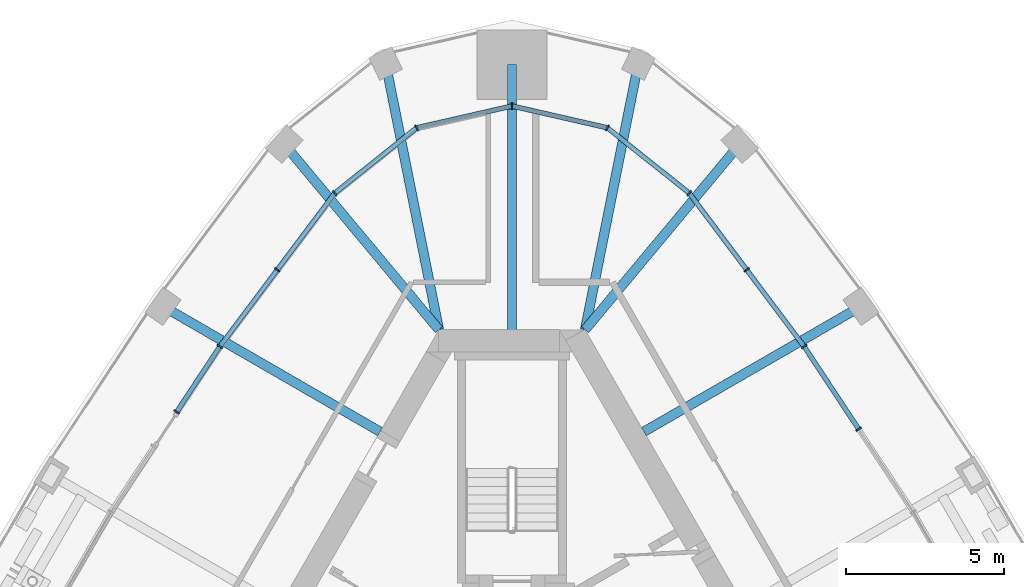
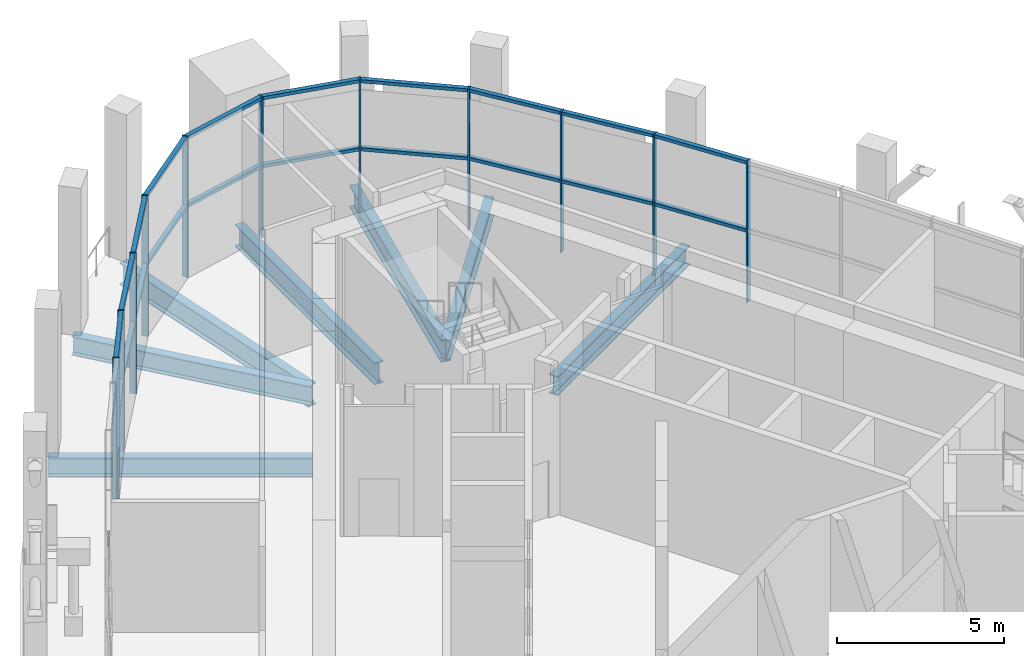
# One storey, part 6 of 23: 31 members, 7 beams, 3 elements without a shape of their own.
"""IFC4 building model written with IfcOpenShell, lengths in metres."""

import ifcopenshell
import ifcopenshell.guid

model = None  # the IFC model being written
_history = None  # IfcOwnerHistory: only IFC2X3 demands one
_inside = {}  # id of a spatial element -> (the spatial element, [elements in it])
_under = {}  # id of a project, library or spatial element -> (it, [spatial elements below it])
_declared = {}  # id of a project -> (the project, [libraries it declares])
_typed = {}  # id of a type object -> (the type object, [elements of that type])
_made_of = {}  # id of a material, layer set ... -> (it, [elements and type objects made of it])


def new_model(schema):
    """Start an empty IFC model of exactly this schema.

    Asked for "IFC4X3", IfcOpenShell would pick the latest addendum, in which some entities
    have other attributes; the version numbers below select the first issue.
    IFC2X3 requires an IfcOwnerHistory on every rooted entity: one is made here for all.
    """
    global model, _history
    if schema == "IFC4X3":
        model = ifcopenshell.file(schema_version=(4, 3, 0, 0))
    else:
        model = ifcopenshell.file(schema=schema)
    _inside.clear()
    _under.clear()
    _declared.clear()
    _typed.clear()
    _made_of.clear()
    _history = None
    if model.schema == "IFC2X3":
        org = make("IfcOrganization", Name="unknown")
        user = make(
            "IfcPersonAndOrganization",
            ThePerson=make("IfcPerson", FamilyName="unknown"),
            TheOrganization=org,
        )
        app = make(
            "IfcApplication",
            ApplicationDeveloper=org,
            Version="unknown",
            ApplicationFullName="unknown",
            ApplicationIdentifier="unknown",
        )
        _history = make(
            "IfcOwnerHistory",
            OwningUser=user,
            OwningApplication=app,
            ChangeAction="ADDED",
            CreationDate=0,
        )
    return model


def make(cls, **values):
    """One entity of the class cls with the attributes given. An attribute that is None is left unset."""
    return model.create_entity(
        cls, **{name: value for name, value in values.items() if value is not None}
    )


def rooted(cls, **values):
    """An entity with a GlobalId (a new one), such as an element, a storey or a relation."""
    return make(cls, GlobalId=ifcopenshell.guid.new(), OwnerHistory=_history, **values)


def si_unit(unit_type, name, prefix=None):
    """IfcSIUnit, for example si_unit("LENGTHUNIT", "METRE", prefix="MILLI")."""
    return make("IfcSIUnit", UnitType=unit_type, Prefix=prefix, Name=name)


def assignment(units):
    """IfcUnitAssignment: the units of a project."""
    return None if units is None else make("IfcUnitAssignment", Units=units)


def point(xyz):
    """IfcCartesianPoint."""
    return None if xyz is None else make("IfcCartesianPoint", Coordinates=xyz)


def direction(xyz):
    """IfcDirection."""
    return None if xyz is None else make("IfcDirection", DirectionRatios=xyz)


def frame(location, z_axis=None, x_axis=None):
    """IfcAxis2Placement3D, a coordinate frame: its origin and axes. An axis left out is left unset."""
    return make(
        "IfcAxis2Placement3D",
        Location=point(location),
        Axis=direction(z_axis),
        RefDirection=direction(x_axis),
    )


def frame_2d(location, x_axis=None):
    """IfcAxis2Placement2D, a coordinate frame in the plane: its origin and x axis."""
    return make(
        "IfcAxis2Placement2D", Location=point(location), RefDirection=direction(x_axis)
    )


def origin():
    """The frame at (0, 0, 0) with its axes left unset."""
    return frame((0.0, 0.0, 0.0))


def origin_2d():
    """The frame at (0, 0) in the plane with its x axis left unset."""
    return frame_2d((0.0, 0.0))


def place(relative_to, where):
    """IfcLocalPlacement: puts the frame where relative to a parent placement (None: the world)."""
    return make(
        "IfcLocalPlacement", PlacementRelTo=relative_to, RelativePlacement=where
    )


def context(
    kind, dimensions, precision=None, world=None, true_north=None, identifier=None
):
    """IfcGeometricRepresentationContext, for example the 3D "Model" context."""
    return make(
        "IfcGeometricRepresentationContext",
        ContextIdentifier=identifier,
        ContextType=kind,
        CoordinateSpaceDimension=dimensions,
        Precision=precision,
        WorldCoordinateSystem=world,
        TrueNorth=true_north,
    )


def subcontext(parent, identifier, kind, view, scale=None):
    """IfcGeometricRepresentationSubContext, for example "Body" below "Model"."""
    return make(
        "IfcGeometricRepresentationSubContext",
        ContextIdentifier=identifier,
        ContextType=kind,
        ParentContext=parent,
        TargetScale=scale,
        TargetView=view,
    )


def project(units=None, contexts=None):
    """IfcProject with its units and contexts."""
    return rooted(
        "IfcProject",
        Name="project",
        RepresentationContexts=contexts,
        UnitsInContext=assignment(units),
    )


def spatial(cls, under=None, at=None, **own):
    """A site, building, storey or space (cls), placed at a placement, below another one or the project."""
    s = rooted(cls, ObjectPlacement=at, **own)
    if under is not None:
        _under.setdefault(under.id(), (under, []))[1].append(s)
    return s


def profile(cls, at=None, kind="AREA", **sizes):
    """A parametric profile (cls). Its sizes go by their IFC names, for example OverallWidth=200.0."""
    return make(cls, ProfileType=kind, Position=at, **sizes)


def rectangle(**sizes):
    """IfcRectangleProfileDef."""
    return profile("IfcRectangleProfileDef", **sizes)


def i_section(**sizes):
    """IfcIShapeProfileDef."""
    return profile("IfcIShapeProfileDef", **sizes)


def extrude(swept, where, along, depth):
    """IfcExtrudedAreaSolid: the profile swept, set in the frame where, extruded along a direction by depth."""
    return make(
        "IfcExtrudedAreaSolid",
        SweptArea=swept,
        Position=where,
        ExtrudedDirection=direction(along),
        Depth=depth,
    )


def shape(context_of_items, identifier, shape_type, items):
    """IfcShapeRepresentation: the items that make up one representation, for example the "Body"."""
    return make(
        "IfcShapeRepresentation",
        ContextOfItems=context_of_items,
        RepresentationIdentifier=identifier,
        RepresentationType=shape_type,
        Items=items,
    )


def material(Name=None, Category=None):
    """IfcMaterial."""
    return make("IfcMaterial", Name=Name, Category=Category)


def material_profile(
    of_material, cross_section, Name=None, Category=None, Priority=None
):
    """IfcMaterialProfile: a cross section and its material."""
    return make(
        "IfcMaterialProfile",
        Name=Name,
        Material=of_material,
        Profile=cross_section,
        Priority=Priority,
        Category=Category,
    )


def profile_set(profiles, Name=None, composite=None):
    """IfcMaterialProfileSet."""
    return make(
        "IfcMaterialProfileSet",
        Name=Name,
        MaterialProfiles=profiles,
        CompositeProfile=composite,
    )


def made_of(thing, what):
    """Note that an element or type object is made of a material, layer set ...; save() writes the relation."""
    if what is not None:
        _made_of.setdefault(what.id(), (what, []))[1].append(thing)
    return thing


def type_object(cls, material=None, **own):
    """A type object (cls), such as IfcWallType, which elements share."""
    return made_of(rooted(cls, **own), material)


def element(
    cls,
    number,
    at=None,
    inside=None,
    cuts=None,
    type_object=None,
    material=None,
    context=None,
    identifier="Body",
    shape_type=None,
    held_by="IfcProductDefinitionShape",
    body=None,
    shapes=None,
    **own,
):
    """One element of the class cls, such as IfcWall. Its Tag is "e" and its number.

    at: its placement. inside: the storey or other place that contains it. cuts: it is an
    opening in that element (IfcRelVoidsElement). A single representation is given by context,
    identifier, shape_type and body (its items); several are given by shapes. held_by: the class
    of the entity that holds the representations. save() writes the other relations.
    """
    e = rooted(cls, Tag="e%d" % number, ObjectPlacement=at, **own)
    if body is not None:
        shapes = [shape(context, identifier, shape_type, body)]
    if shapes is not None:
        e.Representation = make(held_by, Representations=shapes)
    if inside is not None:
        _inside.setdefault(inside.id(), (inside, []))[1].append(e)
    if cuts is not None:
        rooted(
            "IfcRelVoidsElement", RelatingBuildingElement=cuts, RelatedOpeningElement=e
        )
    if type_object is not None:
        _typed.setdefault(type_object.id(), (type_object, []))[1].append(e)
    return made_of(e, material)


def aggregate(whole, parts):
    """IfcRelAggregates: a whole, such as a stair, and the parts it consists of."""
    return rooted("IfcRelAggregates", RelatingObject=whole, RelatedObjects=parts)


def save(model, path):
    """Write the relations noted so far, then the file.

    IfcRelAggregates (storeys below a building ...), IfcRelContainedInSpatialStructure (elements
    in a storey), IfcRelDefinesByType, IfcRelAssociatesMaterial and IfcRelDeclares: one each for
    every whole, place, type object, material and project.
    """
    for whole, parts in _under.values():
        aggregate(whole, parts)
    for where, things in _inside.values():
        rooted(
            "IfcRelContainedInSpatialStructure",
            RelatedElements=things,
            RelatingStructure=where,
        )
    for kind, things in _typed.values():
        rooted("IfcRelDefinesByType", RelatedObjects=things, RelatingType=kind)
    for what, things in _made_of.values():
        rooted("IfcRelAssociatesMaterial", RelatedObjects=things, RelatingMaterial=what)
    for by, libraries in _declared.values():
        rooted("IfcRelDeclares", RelatingContext=by, RelatedDefinitions=libraries)
    model.write(path)


model = new_model("IFC4")

# Units and contexts
model_context = context("Model", 3, precision=1e-05, world=origin(), true_north=direction((0.0, 1.0)))
body_context = subcontext(model_context, "Body", "Model", "MODEL_VIEW")
ifc_project = project(units=[si_unit("LENGTHUNIT", "METRE"), si_unit("AREAUNIT", "SQUARE_METRE"), si_unit("VOLUMEUNIT", "CUBIC_METRE"), si_unit("PLANEANGLEUNIT", "RADIAN"), si_unit("MASSUNIT", "GRAM", prefix="KILO")], contexts=[model_context])

# Site, building, storey
site_placement = place(None, origin())
site = spatial("IfcSite", under=ifc_project, at=site_placement, CompositionType="ELEMENT")
building_placement = place(site_placement, origin())
building = spatial("IfcBuilding", under=site, at=building_placement, Name="Mestral Congress Tower", CompositionType="ELEMENT")
storey_placement = place(building_placement, frame((0.0, 0.0, 261.60009765625)))
storey = spatial("IfcBuildingStorey", under=building, at=storey_placement, Name="L61", CompositionType="ELEMENT", Elevation=261.60009765625)

# Curtain wall, members
ifc_material_1 = material(Name="Clear low-emissivity double glazing", Category="glass")
curtain_wall_type = type_object("IfcCurtainWallType", Name="Facade control room curtain wall", PredefinedType="USERDEFINED", material=ifc_material_1)
placement = place(storey_placement, origin())
curtain_wall_1 = element("IfcCurtainWall", 1, at=placement, inside=storey, type_object=curtain_wall_type, Name="Facade control room curtain wall face 2", ObjectType="CURTAIN WALL", PredefinedType="USERDEFINED")
ifc_material_2 = material(Name="Anodised aluminium", Category="aluminium")
ifc_material_profile_1 = material_profile(ifc_material_2, rectangle(XDim=0.199951171875, YDim=0.050048828125, at=origin_2d()), Name="CW5 mullion 200 x 50")
ifc_profile_set_1 = profile_set([ifc_material_profile_1], Name="Anodised aluminium")
member_type_1 = type_object("IfcMemberType", Name="Facade control room curtain wall mullion", PredefinedType="MULLION", material=ifc_profile_set_1)
member_1_placement = place(storey_placement, frame((10.957763671875, 13.557373046875, 0.0), z_axis=(0.0, 0.0, 1.0), x_axis=(0.834670077272, 0.550750271998, 0.0)))
member_1 = element("IfcMember", 2, at=member_1_placement, type_object=member_type_1, Name="Facade control room curtain wall mullion", PredefinedType="MULLION", context=body_context, shape_type="SweptSolid", body=[
    extrude(rectangle(XDim=0.199951171875, YDim=0.050048828125, at=origin_2d()), origin(), (0.0, 0.0, 1.0), 5.14990234375),
])
member_2_placement = place(storey_placement, frame((9.231689453125, 16.173095703125, 0.0), z_axis=(0.0, 0.0, 1.0), x_axis=(0.817870627702, 0.57540215184, 0.0)))
member_2 = element("IfcMember", 3, at=member_2_placement, type_object=member_type_1, Name="Facade control room curtain wall mullion", PredefinedType="MULLION", context=body_context, shape_type="SweptSolid", body=[
    extrude(rectangle(XDim=0.199951171875, YDim=0.050048828125, at=origin_2d()), origin(), (0.0, 0.0, 1.0), 5.14990234375),
])
member_3_placement = place(storey_placement, frame((7.41748046875, 18.594970703125, 0.0), z_axis=(0.0, 0.0, 1.0), x_axis=(0.800344371453, 0.599540563334, 0.0)))
member_3 = element("IfcMember", 4, at=member_3_placement, type_object=member_type_1, Name="Facade control room curtain wall mullion", PredefinedType="MULLION", context=body_context, shape_type="SweptSolid", body=[
    extrude(rectangle(XDim=0.199951171875, YDim=0.050048828125, at=origin_2d()), origin(), (0.0, 0.0, 1.0), 5.14990234375),
])

curtain_wall_2 = element("IfcCurtainWall", 5, at=placement, inside=storey, type_object=curtain_wall_type, Name="Facade control room curtain wall face 3", ObjectType="CURTAIN WALL", PredefinedType="USERDEFINED")
member_4_placement = place(storey_placement, frame((-7.41748046875, 18.594970703125, 0.0), z_axis=(0.0, 0.0, 1.0), x_axis=(-0.800344371453, 0.599540563334, 0.0)))
member_4 = element("IfcMember", 6, at=member_4_placement, type_object=member_type_1, Name="Facade control room curtain wall mullion", PredefinedType="MULLION", context=body_context, shape_type="SweptSolid", body=[
    extrude(rectangle(XDim=0.199951171875, YDim=0.050048828125, at=origin_2d()), origin(), (0.0, 0.0, 1.0), 5.14990234375),
])
member_5_placement = place(storey_placement, frame((-9.231689453125, 16.173095703125, 0.0), z_axis=(0.0, 0.0, 1.0), x_axis=(-0.817870627702, 0.57540215184, 0.0)))
member_5 = element("IfcMember", 7, at=member_5_placement, type_object=member_type_1, Name="Facade control room curtain wall mullion", PredefinedType="MULLION", context=body_context, shape_type="SweptSolid", body=[
    extrude(rectangle(XDim=0.199951171875, YDim=0.050048828125, at=origin_2d()), origin(), (0.0, 0.0, 1.0), 5.14990234375),
])
member_6_placement = place(storey_placement, frame((-10.599609375, 14.099853515625, 0.0), z_axis=(0.0, 0.0, 1.0), x_axis=(-0.834670077272, 0.550750271998, 0.0)))
member_6 = element("IfcMember", 8, at=member_6_placement, type_object=member_type_1, Name="Facade control room curtain wall mullion", PredefinedType="MULLION", context=body_context, shape_type="SweptSolid", body=[
    extrude(rectangle(XDim=0.199951171875, YDim=0.050048828125, at=origin_2d()), origin(), (0.0, 0.0, 1.0), 5.14990234375),
])

curtain_wall_3 = element("IfcCurtainWall", 9, at=placement, inside=storey, type_object=curtain_wall_type, Name="Facade control room curtain wall corner 2", ObjectType="CURTAIN WALL", PredefinedType="USERDEFINED")
member_7_placement = place(storey_placement, frame((5.603271484375, 21.016845703125, 0.0), z_axis=(0.0, 0.0, 1.0), x_axis=(0.623747278747, 0.781626082124, 0.0)))
member_7 = element("IfcMember", 10, at=member_7_placement, type_object=member_type_1, Name="Facade control room curtain wall mullion", PredefinedType="MULLION", context=body_context, shape_type="SweptSolid", body=[
    extrude(rectangle(XDim=0.199951171875, YDim=0.050048828125, at=origin_2d()), origin(), (0.0, 0.0, 1.0), 5.14990234375),
])
member_8_placement = place(storey_placement, frame((3.013916015625, 23.083251953125, 0.0), z_axis=(0.0, 0.0, 1.0), x_axis=(0.434082086644, 0.900873321869, 0.0)))
member_8 = element("IfcMember", 11, at=member_8_placement, type_object=member_type_1, Name="Facade control room curtain wall mullion", PredefinedType="MULLION", context=body_context, shape_type="SweptSolid", body=[
    extrude(rectangle(XDim=0.199951171875, YDim=0.050048828125, at=origin_2d()), origin(), (0.0, 0.0, 1.0), 5.14990234375),
])
member_9_placement = place(storey_placement, frame((0.0, 23.771484375, 0.0), z_axis=(0.0, 0.0, 1.0), x_axis=(0.0, 1.0, 0.0)))
member_9 = element("IfcMember", 12, at=member_9_placement, type_object=member_type_1, Name="Facade control room curtain wall mullion", PredefinedType="MULLION", context=body_context, shape_type="SweptSolid", body=[
    extrude(rectangle(XDim=0.199951171875, YDim=0.050048828125, at=origin_2d()), origin(), (0.0, 0.0, 1.0), 5.14990234375),
])
member_10_placement = place(storey_placement, frame((-3.013916015625, 23.083251953125, 0.0), z_axis=(0.0, 0.0, 1.0), x_axis=(-0.434082086644, 0.900873321869, 0.0)))
member_10 = element("IfcMember", 13, at=member_10_placement, type_object=member_type_1, Name="Facade control room curtain wall mullion", PredefinedType="MULLION", context=body_context, shape_type="SweptSolid", body=[
    extrude(rectangle(XDim=0.199951171875, YDim=0.050048828125, at=origin_2d()), origin(), (0.0, 0.0, 1.0), 5.14990234375),
])
member_11_placement = place(storey_placement, frame((-5.603271484375, 21.016845703125, 0.0), z_axis=(0.0, 0.0, 1.0), x_axis=(-0.623747278747, 0.781626082124, 0.0)))
member_11 = element("IfcMember", 14, at=member_11_placement, type_object=member_type_1, Name="Facade control room curtain wall mullion", PredefinedType="MULLION", context=body_context, shape_type="SweptSolid", body=[
    extrude(rectangle(XDim=0.199951171875, YDim=0.050048828125, at=origin_2d()), origin(), (0.0, 0.0, 1.0), 5.14990234375),
])

# Member
ifc_material_profile_2 = material_profile(ifc_material_2, rectangle(XDim=0.14990234375, YDim=0.1201171875, at=origin_2d()), Name="CW5 transom 150 x 120")
ifc_profile_set_2 = profile_set([ifc_material_profile_2], Name="Anodised aluminium")
member_type_2 = type_object("IfcMemberType", Name="Facade control room curtain wall transom", PredefinedType="USERDEFINED", material=ifc_profile_set_2)
member_12_placement = place(storey_placement, frame((10.944091796875, 13.578125, 2.599853515625), z_axis=(-0.550729713507, 0.834683642262, 0.0), x_axis=(-0.834683642262, -0.550729713507, 0.0)))
member_12 = element("IfcMember", 15, at=member_12_placement, type_object=member_type_2, Name="Facade control room curtain wall transom", ObjectType="TRANSOM", PredefinedType="USERDEFINED", context=body_context, shape_type="SweptSolid", body=[
    extrude(rectangle(XDim=0.14990234375, YDim=0.1201171875, at=origin_2d()), origin(), (0.0, 0.0, 1.0), 3.083984375),
])

member_13_placement = place(storey_placement, frame((10.944091796875, 13.578125, 5.08984375), z_axis=(-0.550729713507, 0.834683642262, 0.0), x_axis=(-0.834683642262, -0.550729713507, 0.0)))
member_13 = element("IfcMember", 16, at=member_13_placement, type_object=member_type_2, Name="Facade control room curtain wall transom", ObjectType="TRANSOM", PredefinedType="USERDEFINED", context=body_context, shape_type="SweptSolid", body=[
    extrude(rectangle(XDim=0.14990234375, YDim=0.1201171875, at=origin_2d()), origin(), (0.0, 0.0, 1.0), 3.083984375),
])

member_14_placement = place(storey_placement, frame((9.216796875, 16.193115234375, 2.599853515625), z_axis=(-0.599527361453, 0.800354260856, 0.0), x_axis=(-0.800354260856, -0.599527361453, 0.0)))
member_14 = element("IfcMember", 17, at=member_14_placement, type_object=member_type_2, Name="Facade control room curtain wall transom", ObjectType="TRANSOM", PredefinedType="USERDEFINED", context=body_context, shape_type="SweptSolid", body=[
    extrude(rectangle(XDim=0.14990234375, YDim=0.1201171875, at=origin_2d()), origin(), (0.0, 0.0, 1.0), 2.97607421875),
])

member_15_placement = place(storey_placement, frame((9.216796875, 16.193115234375, 5.08984375), z_axis=(-0.599527361453, 0.800354260856, 0.0), x_axis=(-0.800354260856, -0.599527361453, 0.0)))
member_15 = element("IfcMember", 18, at=member_15_placement, type_object=member_type_2, Name="Facade control room curtain wall transom", ObjectType="TRANSOM", PredefinedType="USERDEFINED", context=body_context, shape_type="SweptSolid", body=[
    extrude(rectangle(XDim=0.14990234375, YDim=0.1201171875, at=origin_2d()), origin(), (0.0, 0.0, 1.0), 2.97607421875),
])

member_16_placement = place(storey_placement, frame((7.402587890625, 18.614990234375, 2.599853515625), z_axis=(-0.599579907851, 0.800314896838, 0.0), x_axis=(-0.800314896838, -0.599579907851, 0.0)))
member_16 = element("IfcMember", 19, at=member_16_placement, type_object=member_type_2, Name="Facade control room curtain wall transom", ObjectType="TRANSOM", PredefinedType="USERDEFINED", context=body_context, shape_type="SweptSolid", body=[
    extrude(rectangle(XDim=0.14990234375, YDim=0.1201171875, at=origin_2d()), origin(), (0.0, 0.0, 1.0), 2.97607421875),
])

member_17_placement = place(storey_placement, frame((7.402587890625, 18.614990234375, 5.08984375), z_axis=(-0.599579907851, 0.800314896838, 0.0), x_axis=(-0.800314896838, -0.599579907851, 0.0)))
member_17 = element("IfcMember", 20, at=member_17_placement, type_object=member_type_2, Name="Facade control room curtain wall transom", ObjectType="TRANSOM", PredefinedType="USERDEFINED", context=body_context, shape_type="SweptSolid", body=[
    extrude(rectangle(XDim=0.14990234375, YDim=0.1201171875, at=origin_2d()), origin(), (0.0, 0.0, 1.0), 2.97607421875),
])

aggregate(curtain_wall_1, [member_1, member_2, member_3, member_12, member_13, member_14, member_15, member_16, member_17])

member_18_placement = place(storey_placement, frame((-5.6181640625, 20.996826171875, 2.599853515625), z_axis=(-0.599579907851, -0.800314896838, 0.0), x_axis=(0.800314896838, -0.599579907851, 0.0)))
member_18 = element("IfcMember", 21, at=member_18_placement, type_object=member_type_2, Name="Facade control room curtain wall transom", ObjectType="TRANSOM", PredefinedType="USERDEFINED", context=body_context, shape_type="SweptSolid", body=[
    extrude(rectangle(XDim=0.14990234375, YDim=0.1201171875, at=origin_2d()), origin(), (0.0, 0.0, 1.0), 2.97607421875),
])

member_19_placement = place(storey_placement, frame((-5.6181640625, 20.996826171875, 5.08984375), z_axis=(-0.599579907851, -0.800314896838, 0.0), x_axis=(0.800314896838, -0.599579907851, 0.0)))
member_19 = element("IfcMember", 22, at=member_19_placement, type_object=member_type_2, Name="Facade control room curtain wall transom", ObjectType="TRANSOM", PredefinedType="USERDEFINED", context=body_context, shape_type="SweptSolid", body=[
    extrude(rectangle(XDim=0.14990234375, YDim=0.1201171875, at=origin_2d()), origin(), (0.0, 0.0, 1.0), 2.97607421875),
])

member_20_placement = place(storey_placement, frame((-7.4326171875, 18.574951171875, 2.599853515625), z_axis=(-0.599527361453, -0.800354260856, 0.0), x_axis=(0.800354260856, -0.599527361453, 0.0)))
member_20 = element("IfcMember", 23, at=member_20_placement, type_object=member_type_2, Name="Facade control room curtain wall transom", ObjectType="TRANSOM", PredefinedType="USERDEFINED", context=body_context, shape_type="SweptSolid", body=[
    extrude(rectangle(XDim=0.14990234375, YDim=0.1201171875, at=origin_2d()), origin(), (0.0, 0.0, 1.0), 2.97607421875),
])

member_21_placement = place(storey_placement, frame((-7.4326171875, 18.574951171875, 5.08984375), z_axis=(-0.599527361453, -0.800354260856, 0.0), x_axis=(0.800354260856, -0.599527361453, 0.0)))
member_21 = element("IfcMember", 24, at=member_21_placement, type_object=member_type_2, Name="Facade control room curtain wall transom", ObjectType="TRANSOM", PredefinedType="USERDEFINED", context=body_context, shape_type="SweptSolid", body=[
    extrude(rectangle(XDim=0.14990234375, YDim=0.1201171875, at=origin_2d()), origin(), (0.0, 0.0, 1.0), 2.97607421875),
])

member_22_placement = place(storey_placement, frame((-9.24560546875, 16.15234375, 2.599853515625), z_axis=(-0.550712235017, -0.834695174422, 0.0), x_axis=(0.834695174422, -0.550712235017, 0.0)))
member_22 = element("IfcMember", 25, at=member_22_placement, type_object=member_type_2, Name="Facade control room curtain wall transom", ObjectType="TRANSOM", PredefinedType="USERDEFINED", context=body_context, shape_type="SweptSolid", body=[
    extrude(rectangle(XDim=0.14990234375, YDim=0.1201171875, at=origin_2d()), origin(), (0.0, 0.0, 1.0), 2.433837890625),
])

member_23_placement = place(storey_placement, frame((-9.24560546875, 16.15234375, 5.08984375), z_axis=(-0.550712235017, -0.834695174422, 0.0), x_axis=(0.834695174422, -0.550712235017, 0.0)))
member_23 = element("IfcMember", 26, at=member_23_placement, type_object=member_type_2, Name="Facade control room curtain wall transom", ObjectType="TRANSOM", PredefinedType="USERDEFINED", context=body_context, shape_type="SweptSolid", body=[
    extrude(rectangle(XDim=0.14990234375, YDim=0.1201171875, at=origin_2d()), origin(), (0.0, 0.0, 1.0), 2.433837890625),
])

aggregate(curtain_wall_2, [member_4, member_5, member_6, member_18, member_19, member_20, member_21, member_22, member_23])

member_24_placement = place(storey_placement, frame((5.583740234375, 21.032470703125, 2.599853515625), z_axis=(-0.781627438099, 0.623745579552, 0.0), x_axis=(-0.623745579552, -0.781627438099, 0.0)))
member_24 = element("IfcMember", 27, at=member_24_placement, type_object=member_type_2, Name="Facade control room curtain wall transom", ObjectType="TRANSOM", PredefinedType="USERDEFINED", context=body_context, shape_type="SweptSolid", body=[
    extrude(rectangle(XDim=0.14990234375, YDim=0.1201171875, at=origin_2d()), origin(), (0.0, 0.0, 1.0), 3.2626953125),
])

member_25_placement = place(storey_placement, frame((5.583740234375, 21.032470703125, 5.08984375), z_axis=(-0.781627438099, 0.623745579552, 0.0), x_axis=(-0.623745579552, -0.781627438099, 0.0)))
member_25 = element("IfcMember", 28, at=member_25_placement, type_object=member_type_2, Name="Facade control room curtain wall transom", ObjectType="TRANSOM", PredefinedType="USERDEFINED", context=body_context, shape_type="SweptSolid", body=[
    extrude(rectangle(XDim=0.14990234375, YDim=0.1201171875, at=origin_2d()), origin(), (0.0, 0.0, 1.0), 3.2626953125),
])

member_26_placement = place(storey_placement, frame((2.989501953125, 23.088623046875, 2.599853515625), z_axis=(-0.974893368066, 0.222672227502, 0.0), x_axis=(-0.222672227502, -0.974893368066, 0.0)))
member_26 = element("IfcMember", 29, at=member_26_placement, type_object=member_type_2, Name="Facade control room curtain wall transom", ObjectType="TRANSOM", PredefinedType="USERDEFINED", context=body_context, shape_type="SweptSolid", body=[
    extrude(rectangle(XDim=0.14990234375, YDim=0.1201171875, at=origin_2d()), origin(), (0.0, 0.0, 1.0), 3.04150390625),
])

member_27_placement = place(storey_placement, frame((2.989501953125, 23.088623046875, 5.08984375), z_axis=(-0.974893368066, 0.222672227502, 0.0), x_axis=(-0.222672227502, -0.974893368066, 0.0)))
member_27 = element("IfcMember", 30, at=member_27_placement, type_object=member_type_2, Name="Facade control room curtain wall transom", ObjectType="TRANSOM", PredefinedType="USERDEFINED", context=body_context, shape_type="SweptSolid", body=[
    extrude(rectangle(XDim=0.14990234375, YDim=0.1201171875, at=origin_2d()), origin(), (0.0, 0.0, 1.0), 3.04150390625),
])

member_28_placement = place(storey_placement, frame((-0.0244140625, 23.765869140625, 2.599853515625), z_axis=(-0.974893368066, -0.222672227502, 0.0), x_axis=(0.222672227502, -0.974893368066, 0.0)))
member_28 = element("IfcMember", 31, at=member_28_placement, type_object=member_type_2, Name="Facade control room curtain wall transom", ObjectType="TRANSOM", PredefinedType="USERDEFINED", context=body_context, shape_type="SweptSolid", body=[
    extrude(rectangle(XDim=0.14990234375, YDim=0.1201171875, at=origin_2d()), origin(), (0.0, 0.0, 1.0), 3.04150390625),
])

member_29_placement = place(storey_placement, frame((-0.0244140625, 23.765869140625, 5.08984375), z_axis=(-0.974893368066, -0.222672227502, 0.0), x_axis=(0.222672227502, -0.974893368066, 0.0)))
member_29 = element("IfcMember", 32, at=member_29_placement, type_object=member_type_2, Name="Facade control room curtain wall transom", ObjectType="TRANSOM", PredefinedType="USERDEFINED", context=body_context, shape_type="SweptSolid", body=[
    extrude(rectangle(XDim=0.14990234375, YDim=0.1201171875, at=origin_2d()), origin(), (0.0, 0.0, 1.0), 3.04150390625),
])

member_30_placement = place(storey_placement, frame((-3.033447265625, 23.067626953125, 2.599853515625), z_axis=(-0.781627438099, -0.623745579552, 0.0), x_axis=(0.623745579552, -0.781627438099, 0.0)))
member_30 = element("IfcMember", 33, at=member_30_placement, type_object=member_type_2, Name="Facade control room curtain wall transom", ObjectType="TRANSOM", PredefinedType="USERDEFINED", context=body_context, shape_type="SweptSolid", body=[
    extrude(rectangle(XDim=0.14990234375, YDim=0.1201171875, at=origin_2d()), origin(), (0.0, 0.0, 1.0), 3.2626953125),
])

member_31_placement = place(storey_placement, frame((-3.033447265625, 23.067626953125, 5.08984375), z_axis=(-0.781627438099, -0.623745579552, 0.0), x_axis=(0.623745579552, -0.781627438099, 0.0)))
member_31 = element("IfcMember", 34, at=member_31_placement, type_object=member_type_2, Name="Facade control room curtain wall transom", ObjectType="TRANSOM", PredefinedType="USERDEFINED", context=body_context, shape_type="SweptSolid", body=[
    extrude(rectangle(XDim=0.14990234375, YDim=0.1201171875, at=origin_2d()), origin(), (0.0, 0.0, 1.0), 3.2626953125),
])

aggregate(curtain_wall_3, [member_7, member_8, member_9, member_10, member_11, member_24, member_25, member_26, member_27, member_28, member_29, member_30, member_31])

# Beams
ifc_material_3 = material(Name="Steel S355", Category="steel")
ifc_material_profile_3 = material_profile(ifc_material_3, i_section(OverallWidth=0.300048828125, OverallDepth=0.699951171875, WebThickness=0.01708984375, FlangeThickness=0.031982421875, FilletRadius=0.027099609375, at=origin_2d()), Name="HEB 700")
ifc_profile_set_3 = profile_set([ifc_material_profile_3], Name="Steel S355")
beam_type_1 = type_object("IfcBeamType", Name="Floor beam HEB 700 S355", PredefinedType="BEAM", material=ifc_profile_set_3)
beam_1_placement = place(storey_placement, frame((11.031982421875, 17.439697265625, -0.650146484375), z_axis=(-0.866027556635, -0.499996271135, 0.0), x_axis=(0.499996271135, -0.866027556635, 0.0)))
element("IfcBeam", 35, at=beam_1_placement, inside=storey, type_object=beam_type_1, Name="BM-L61-RB5-E04", PredefinedType="BEAM", context=body_context, shape_type="SweptSolid", body=[
    extrude(i_section(OverallWidth=0.300048828125, OverallDepth=0.699951171875, WebThickness=0.01708984375, FlangeThickness=0.031982421875, FilletRadius=0.027099609375, at=origin_2d()), origin(), (0.0, 0.0, 1.0), 7.923828125),
])
for number, where, z_axis, x_axis, name in (
    (36, (7.1953125, 22.56103515625, -0.650146484375), (-0.640319713645, -0.768108497751, 0.0), (0.768108497751, -0.640319713645, 0.0), "BM-L61-RB5-E05"),
    (37, (-7.1953125, 22.56103515625, -0.650146484375), (0.640319713645, -0.768108497751, 0.0), (0.768108497751, 0.640319713645, 0.0), "BM-L61-RB5-W00"),
):
    element("IfcBeam", number, at=place(storey_placement, frame(where, z_axis=z_axis, x_axis=x_axis)), inside=storey, type_object=beam_type_1, Name=name, PredefinedType="BEAM", context=body_context, shape_type="SweptSolid", body=[
        extrude(i_section(OverallWidth=0.300048828125, OverallDepth=0.699951171875, WebThickness=0.01708984375, FlangeThickness=0.031982421875, FilletRadius=0.027099609375, at=origin_2d()), origin(), (0.0, 0.0, 1.0), 7.630615234375),
    ])
beam_2_placement = place(storey_placement, frame((-11.031982421875, 17.439697265625, -0.650146484375), z_axis=(0.866027556635, -0.499996271135, 0.0), x_axis=(0.499996271135, 0.866027556635, 0.0)))
element("IfcBeam", 38, at=beam_2_placement, inside=storey, type_object=beam_type_1, Name="BM-L61-RB5-W01", PredefinedType="BEAM", context=body_context, shape_type="SweptSolid", body=[
    extrude(i_section(OverallWidth=0.300048828125, OverallDepth=0.699951171875, WebThickness=0.01708984375, FlangeThickness=0.031982421875, FilletRadius=0.027099609375, at=origin_2d()), origin(), (0.0, 0.0, 1.0), 7.923828125),
])
ifc_material_profile_4 = material_profile(ifc_material_3, i_section(OverallWidth=0.300048828125, OverallDepth=0.800048828125, WebThickness=0.017578125, FlangeThickness=0.032958984375, FilletRadius=0.030029296875, at=origin_2d()), Name="HEB 800")
ifc_profile_set_4 = profile_set([ifc_material_profile_4], Name="Steel S355")
beam_type_2 = type_object("IfcBeamType", Name="Floor beam HEB 800 S355", PredefinedType="BEAM", material=ifc_profile_set_4)
beam_3_placement = place(storey_placement, frame((3.993408203125, 25.1162109375, -0.7001953125), z_axis=(-0.1962091254, -0.980562073053, 0.0), x_axis=(0.980562073053, -0.1962091254, 0.0)))
element("IfcBeam", 39, at=beam_3_placement, inside=storey, type_object=beam_type_2, Name="BM-L61-RB5-N1", PredefinedType="BEAM", context=body_context, shape_type="SweptSolid", body=[
    extrude(i_section(OverallWidth=0.300048828125, OverallDepth=0.800048828125, WebThickness=0.017578125, FlangeThickness=0.032958984375, FilletRadius=0.030029296875, at=origin_2d()), origin(), (0.0, 0.0, 1.0), 8.5830078125),
])
beam_4_placement = place(storey_placement, frame((0.0, 25.078125, -0.7001953125), z_axis=(0.0, -1.0, 0.0), x_axis=(1.0, 0.0, 0.0)))
element("IfcBeam", 40, at=beam_4_placement, inside=storey, type_object=beam_type_2, Name="BM-L61-RB5-N", PredefinedType="BEAM", context=body_context, shape_type="SweptSolid", body=[
    extrude(i_section(OverallWidth=0.300048828125, OverallDepth=0.800048828125, WebThickness=0.017578125, FlangeThickness=0.032958984375, FilletRadius=0.030029296875, at=origin_2d()), origin(), (0.0, 0.0, 1.0), 8.378173828125),
])
beam_5_placement = place(storey_placement, frame((-3.993408203125, 25.1162109375, -0.7001953125), z_axis=(0.1962091254, -0.980562073053, 0.0), x_axis=(0.980562073053, 0.1962091254, 0.0)))
element("IfcBeam", 41, at=beam_5_placement, inside=storey, type_object=beam_type_2, Name="BM-L61-RB5-N3", PredefinedType="BEAM", context=body_context, shape_type="SweptSolid", body=[
    extrude(i_section(OverallWidth=0.300048828125, OverallDepth=0.800048828125, WebThickness=0.017578125, FlangeThickness=0.032958984375, FilletRadius=0.030029296875, at=origin_2d()), origin(), (0.0, 0.0, 1.0), 8.5830078125),
])

save(model, "model.ifc")
